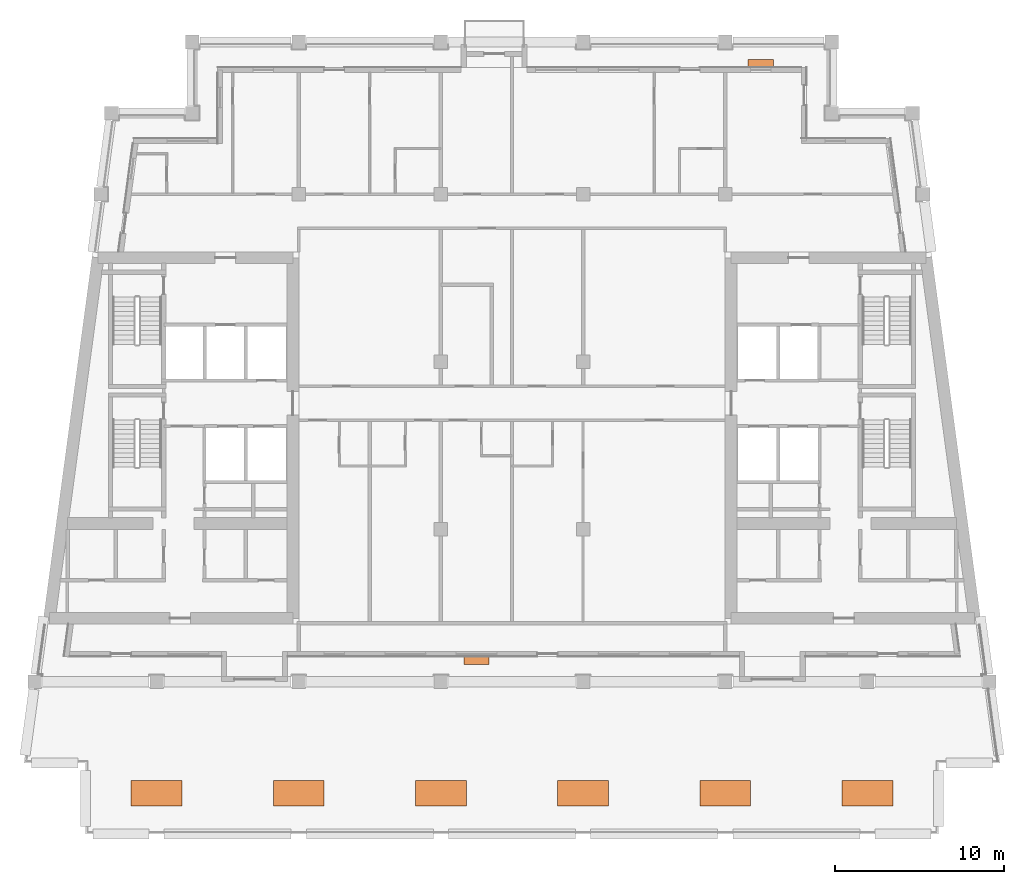
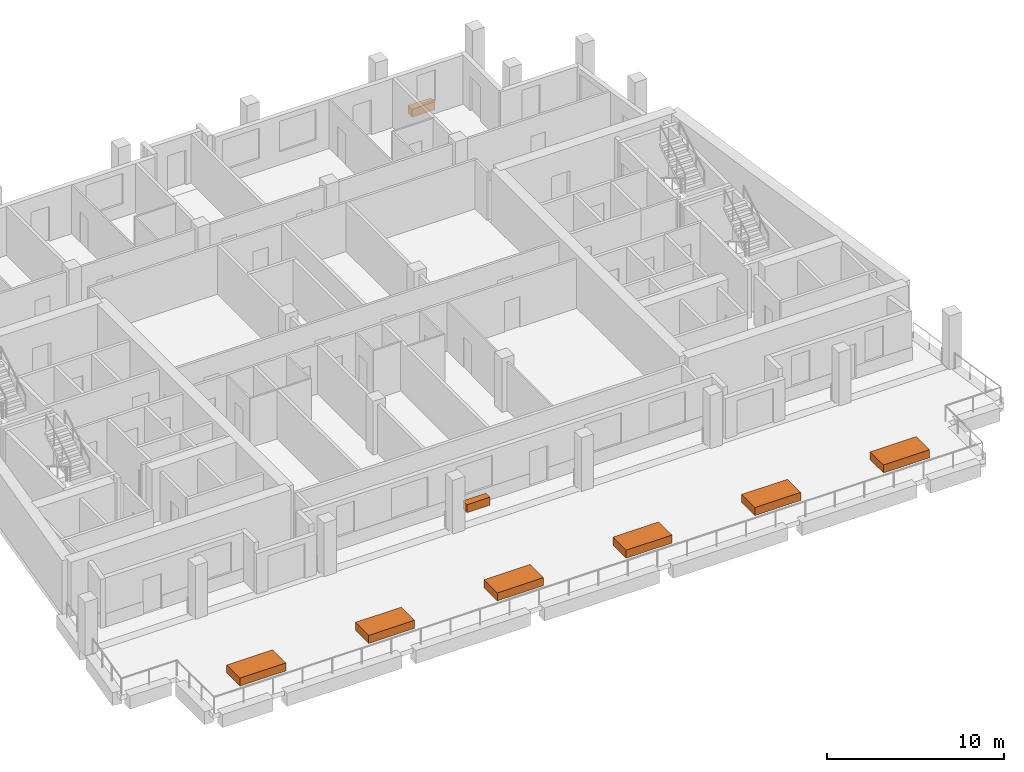
# One storey, part 12 of 12: 8 proxies.
"""IFC4 building model written with IfcOpenShell, lengths in metres."""

from ifc_helpers import new_model, si_unit, direction, frame, origin, origin_2d, place, context, subcontext, project, spatial, rectangle, extrude, element, save


model = new_model("IFC4")

# Units and contexts
model_context = context("Model", 3, precision=1e-05, world=origin(), true_north=direction((0.0, 1.0)))
body_context = subcontext(model_context, "Body", "Model", "MODEL_VIEW")
ifc_project = project(units=[si_unit("LENGTHUNIT", "METRE"), si_unit("AREAUNIT", "SQUARE_METRE"), si_unit("VOLUMEUNIT", "CUBIC_METRE"), si_unit("PLANEANGLEUNIT", "RADIAN"), si_unit("MASSUNIT", "GRAM", prefix="KILO")], contexts=[model_context])

# Site, building, storey
site_placement = place(None, origin())
site = spatial("IfcSite", under=ifc_project, at=site_placement, CompositionType="ELEMENT")
building_placement = place(site_placement, origin())
building = spatial("IfcBuilding", under=site, at=building_placement, Name="Candeia Pilgrim Tower and Theatre", CompositionType="ELEMENT")
storey_placement = place(building_placement, frame((0.0, 0.0, 259.0)))
storey = spatial("IfcBuildingStorey", under=building, at=storey_placement, Name="L62", CompositionType="ELEMENT", Elevation=259.0)

# Proxies
for number, where, z_axis, x_axis, name in (
    (1, (111.300048828125, 108.2548828125, 0.0), (0.0, 0.0, 1.0), (1.0, 0.0, 0.0), "Planter"),
    (2, (128.10009765625, 143.544921875, 0.0), (0.0, 0.0, 1.0), (-1.0, 0.0, 0.0), "Planter"),
):
    element("IfcBuildingElementProxy", number, at=place(storey_placement, frame(where, z_axis=z_axis, x_axis=x_axis)), inside=storey, Name=name, ObjectType="PLANTER", PredefinedType="USERDEFINED", context=body_context, shape_type="SweptSolid", body=[
        extrude(rectangle(XDim=1.5, YDim=0.449951171875, at=origin_2d()), origin(), (0.0, 0.0, 1.0), 0.550048828125),
    ])
for number, where, z_axis, x_axis, name in (
    (3, (92.39990234375, 100.39990234375, 0.0), (0.0, 0.0, 1.0), (1.0, 0.0, 0.0), "Planter"),
    (4, (100.800048828125, 100.39990234375, 0.0), (0.0, 0.0, 1.0), (1.0, 0.0, 0.0), "Planter"),
    (5, (109.199951171875, 100.39990234375, 0.0), (0.0, 0.0, 1.0), (1.0, 0.0, 0.0), "Planter"),
    (6, (117.60009765625, 100.39990234375, 0.0), (0.0, 0.0, 1.0), (1.0, 0.0, 0.0), "Planter"),
    (7, (126.0, 100.39990234375, 0.0), (0.0, 0.0, 1.0), (1.0, 0.0, 0.0), "Planter"),
    (8, (134.39990234375, 100.39990234375, 0.0), (0.0, 0.0, 1.0), (1.0, 0.0, 0.0), "Planter"),
):
    element("IfcBuildingElementProxy", number, at=place(storey_placement, frame(where, z_axis=z_axis, x_axis=x_axis)), inside=storey, Name=name, ObjectType="PLANTER", PredefinedType="USERDEFINED", context=body_context, shape_type="SweptSolid", body=[
        extrude(rectangle(XDim=3.0, YDim=1.5, at=origin_2d()), origin(), (0.0, 0.0, 1.0), 0.550048828125),
    ])

save(model, "model.ifc")
